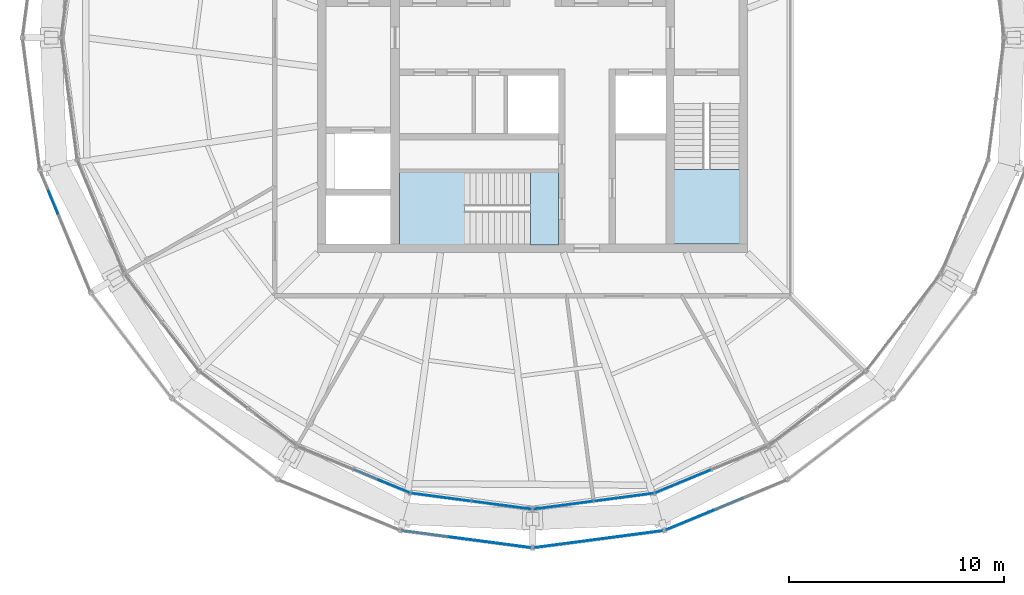
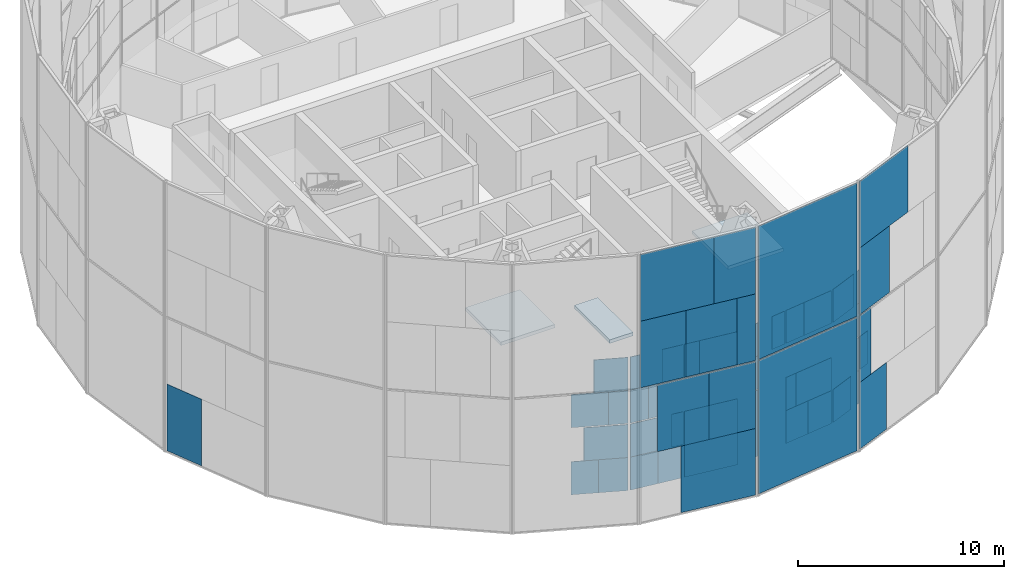
# One storey, part 11 of 22: 55 plates, 3 slabs, 10 elements without a shape of their own.
"""IFC4 building model written with IfcOpenShell, lengths in metres."""

from ifc_helpers import new_model, si_unit, direction, frame, origin, origin_2d, place, context, subcontext, project, spatial, polyline, rectangle, outline, extrude, material, layer, layer_set, type_object, element, aggregate, save


model = new_model("IFC4")

# Units and contexts
model_context = context("Model", 3, precision=1e-05, world=origin(), true_north=direction((0.0, 1.0)))
body_context = subcontext(model_context, "Body", "Model", "MODEL_VIEW")
ifc_project = project(units=[si_unit("LENGTHUNIT", "METRE"), si_unit("AREAUNIT", "SQUARE_METRE"), si_unit("VOLUMEUNIT", "CUBIC_METRE"), si_unit("PLANEANGLEUNIT", "RADIAN"), si_unit("MASSUNIT", "GRAM", prefix="KILO")], contexts=[model_context])

# Site, building, storey
site_placement = place(None, origin())
site = spatial("IfcSite", under=ifc_project, at=site_placement, CompositionType="ELEMENT")
building_placement = place(site_placement, origin())
building = spatial("IfcBuilding", under=site, at=building_placement, Name="Golbaran Civic Tower", CompositionType="ELEMENT")
storey_placement = place(building_placement, frame((0.0, 0.0, 264.0)))
storey = spatial("IfcBuildingStorey", under=building, at=storey_placement, Name="L64", CompositionType="ELEMENT", Elevation=264.0)

# Curtain wall, plates
ifc_material_1 = material(Name="Aluminium and glass", Category="aluminium")
curtain_wall_type_1 = type_object("IfcCurtainWallType", Name="INNER SKIN CURTAIN WALL EXECUTIVE", PredefinedType="NOTDEFINED", material=ifc_material_1)
curtain_wall_1_placement = place(storey_placement, origin())
curtain_wall_1 = element("IfcCurtainWall", 1, at=curtain_wall_1_placement, inside=storey, type_object=curtain_wall_type_1, Name="Inner skin L64 facet 17 CW2", ObjectType="INNER SKIN", PredefinedType="USERDEFINED")
ifc_material_2 = material(Name="Clear insulating glass", Category="glass")
ifc_layer_1 = layer(ifc_material_2, 0.031982421875, Name="Clear insulating glass")
ifc_layer_set_1 = layer_set([ifc_layer_1], Name="Clear insulating glass")
plate_type_1 = type_object("IfcPlateType", Name="INNER SKIN CURTAIN WALL EXECUTIVE GLAZED PANEL", PredefinedType="CURTAIN_PANEL", material=ifc_layer_set_1)
plate_1_placement = place(storey_placement, frame((-7.67724609375, -20.363525390625, 0.06005859375), z_axis=(0.0, 0.0, 1.0), x_axis=(0.923879532518, -0.382683432349, 0.0)))
plate_1 = element("IfcPlate", 2, at=plate_1_placement, type_object=plate_type_1, Name="CW2 panel 2.1 part 1", PredefinedType="CURTAIN_PANEL", context=body_context, shape_type="SweptSolid", body=[
    extrude(rectangle(XDim=1.340087890625, YDim=0.031982421875, at=origin_2d()), origin(), (0.0, 0.0, 1.0), 1.955078125),
])
plate_2_placement = place(storey_placement, frame((-6.1708984375, -20.9873046875, 4.030029296875), z_axis=(0.0, 0.0, 1.0), x_axis=(0.923879532518, -0.382683432349, 0.0)))
plate_2 = element("IfcPlate", 3, at=plate_2_placement, type_object=plate_type_1, Name="CW2 panel 2.2 part 2", PredefinedType="CURTAIN_PANEL", context=body_context, shape_type="SweptSolid", body=[
    extrude(rectangle(XDim=0.946533203125, YDim=0.031982421875, at=origin_2d()), origin(), (0.0, 0.0, 1.0), 1.955078125),
])
plate_3_placement = place(storey_placement, frame((-6.5048828125, -20.84912109375, 5.98486328125), z_axis=(0.0, 0.0, 1.0), x_axis=(0.923879532518, -0.382683432349, 0.0)))
plate_3 = element("IfcPlate", 4, at=plate_3_placement, type_object=plate_type_1, Name="CW2 panel 2.2 part 4", PredefinedType="CURTAIN_PANEL", context=body_context, shape_type="SweptSolid", body=[
    extrude(rectangle(XDim=1.669677734375, YDim=0.031982421875, at=origin_2d()), origin(), (0.0, 0.0, 1.0), 1.955078125),
])

curtain_wall_2_placement = place(storey_placement, origin())
curtain_wall_2 = element("IfcCurtainWall", 5, at=curtain_wall_2_placement, inside=storey, type_object=curtain_wall_type_1, Name="Inner skin L64 facet 18 CW2", ObjectType="INNER SKIN", PredefinedType="USERDEFINED")
plate_4_placement = place(storey_placement, frame((-3.532958984375, -21.473876953125, 0.06005859375), z_axis=(0.0, 0.0, 1.0), x_axis=(0.991444861376, -0.130526192203, 0.0)))
plate_4 = element("IfcPlate", 6, at=plate_4_placement, type_object=plate_type_1, Name="CW2 panel 1.1 part 2", PredefinedType="CURTAIN_PANEL", context=body_context, shape_type="SweptSolid", body=[
    extrude(rectangle(XDim=1.339599609375, YDim=0.031982421875, at=origin_2d()), origin(), (0.0, 0.0, 1.0), 1.955078125),
])
plate_5_placement = place(storey_placement, frame((-3.174560546875, -21.52099609375, 2.014892578125), z_axis=(0.0, 0.0, 1.0), x_axis=(0.991444861376, -0.130526192203, 0.0)))
plate_5 = element("IfcPlate", 7, at=plate_5_placement, type_object=plate_type_1, Name="CW2 panel 1.1 part 4", PredefinedType="CURTAIN_PANEL", context=body_context, shape_type="SweptSolid", body=[
    extrude(rectangle(XDim=0.61669921875, YDim=0.031982421875, at=origin_2d()), origin(), (0.0, 0.0, 1.0), 1.955078125),
])
plate_6_placement = place(storey_placement, frame((-5.14990234375, -21.260986328125, 4.030029296875), z_axis=(0.0, 0.0, 1.0), x_axis=(0.991444861376, -0.130526192203, 0.0)))
plate_6 = element("IfcPlate", 8, at=plate_6_placement, type_object=plate_type_1, Name="CW2 panel 1.2 part 1", PredefinedType="CURTAIN_PANEL", context=body_context, shape_type="SweptSolid", body=[
    extrude(rectangle(XDim=0.946044921875, YDim=0.031982421875, at=origin_2d()), origin(), (0.0, 0.0, 1.0), 1.955078125),
])
plate_7_placement = place(storey_placement, frame((-4.79150390625, -21.30810546875, 5.98486328125), z_axis=(0.0, 0.0, 1.0), x_axis=(0.991444861376, -0.130526192203, 0.0)))
plate_7 = element("IfcPlate", 9, at=plate_7_placement, type_object=plate_type_1, Name="CW2 panel 1.2 part 3", PredefinedType="CURTAIN_PANEL", context=body_context, shape_type="SweptSolid", body=[
    extrude(rectangle(XDim=1.6689453125, YDim=0.031982421875, at=origin_2d()), origin(), (0.0, 0.0, 1.0), 1.955078125),
])
plate_8_placement = place(storey_placement, frame((-1.434326171875, -21.750244140625, 0.06005859375), z_axis=(0.0, 0.0, 1.0), x_axis=(0.991444861376, -0.130526192203, 0.0)))
plate_8 = element("IfcPlate", 10, at=plate_8_placement, type_object=plate_type_1, Name="CW2 panel 2.1", PredefinedType="CURTAIN_PANEL", context=body_context, shape_type="SweptSolid", body=[
    extrude(rectangle(XDim=2.773681640625, YDim=0.031982421875, at=origin_2d()), origin(), (0.0, 0.0, 1.0), 3.909912109375),
])
plate_9_placement = place(storey_placement, frame((-1.235595703125, -21.7763671875, 4.030029296875), z_axis=(0.0, 0.0, 1.0), x_axis=(0.991444861376, -0.130526192203, 0.0)))
plate_9 = element("IfcPlate", 11, at=plate_9_placement, type_object=plate_type_1, Name="CW2 panel 2.2 part 2", PredefinedType="CURTAIN_PANEL", context=body_context, shape_type="SweptSolid", body=[
    extrude(rectangle(XDim=2.37255859375, YDim=0.031982421875, at=origin_2d()), origin(), (0.0, 0.0, 1.0), 1.955078125),
])
plate_10_placement = place(storey_placement, frame((-1.041748046875, -21.8017578125, 5.98486328125), z_axis=(0.0, 0.0, 1.0), x_axis=(0.991444861376, -0.130526192203, 0.0)))
plate_10 = element("IfcPlate", 12, at=plate_10_placement, type_object=plate_type_1, Name="CW2 panel 2.2 part 4", PredefinedType="CURTAIN_PANEL", context=body_context, shape_type="SweptSolid", body=[
    extrude(rectangle(XDim=1.981689453125, YDim=0.031982421875, at=origin_2d()), origin(), (0.0, 0.0, 1.0), 1.955078125),
])

curtain_wall_3_placement = place(storey_placement, origin())
curtain_wall_3 = element("IfcCurtainWall", 13, at=curtain_wall_3_placement, inside=storey, type_object=curtain_wall_type_1, Name="Inner skin L64 facet 19 CW2", ObjectType="INNER SKIN", PredefinedType="USERDEFINED")
plate_11_placement = place(storey_placement, frame((1.434326171875, -21.750244140625, 0.06005859375), z_axis=(0.0, 0.0, 1.0), x_axis=(0.991444861376, 0.130526192203, 0.0)))
plate_11 = element("IfcPlate", 14, at=plate_11_placement, type_object=plate_type_1, Name="CW2 panel 1.1", PredefinedType="CURTAIN_PANEL", context=body_context, shape_type="SweptSolid", body=[
    extrude(rectangle(XDim=2.773681640625, YDim=0.031982421875, at=origin_2d()), origin(), (0.0, 0.0, 1.0), 3.909912109375),
])
plate_12_placement = place(storey_placement, frame((1.2353515625, -21.7763671875, 4.030029296875), z_axis=(0.0, 0.0, 1.0), x_axis=(0.991444861376, 0.130526192203, 0.0)))
plate_12 = element("IfcPlate", 15, at=plate_12_placement, type_object=plate_type_1, Name="CW2 panel 1.2 part 1", PredefinedType="CURTAIN_PANEL", context=body_context, shape_type="SweptSolid", body=[
    extrude(rectangle(XDim=2.3720703125, YDim=0.031982421875, at=origin_2d()), origin(), (0.0, 0.0, 1.0), 1.955078125),
])
plate_13_placement = place(storey_placement, frame((1.0419921875, -21.8017578125, 5.98486328125), z_axis=(0.0, 0.0, 1.0), x_axis=(0.991444861376, 0.130526192203, 0.0)))
plate_13 = element("IfcPlate", 16, at=plate_13_placement, type_object=plate_type_1, Name="CW2 panel 1.2 part 3", PredefinedType="CURTAIN_PANEL", context=body_context, shape_type="SweptSolid", body=[
    extrude(rectangle(XDim=1.98193359375, YDim=0.031982421875, at=origin_2d()), origin(), (0.0, 0.0, 1.0), 1.955078125),
])
plate_14_placement = place(storey_placement, frame((3.533203125, -21.473876953125, 0.06005859375), z_axis=(0.0, 0.0, 1.0), x_axis=(0.991444861376, 0.130526192203, 0.0)))
plate_14 = element("IfcPlate", 17, at=plate_14_placement, type_object=plate_type_1, Name="CW2 panel 2.1 part 1", PredefinedType="CURTAIN_PANEL", context=body_context, shape_type="SweptSolid", body=[
    extrude(rectangle(XDim=1.340087890625, YDim=0.031982421875, at=origin_2d()), origin(), (0.0, 0.0, 1.0), 1.955078125),
])
plate_15_placement = place(storey_placement, frame((3.17431640625, -21.52099609375, 2.014892578125), z_axis=(0.0, 0.0, 1.0), x_axis=(0.991444861376, 0.130526192203, 0.0)))
plate_15 = element("IfcPlate", 18, at=plate_15_placement, type_object=plate_type_1, Name="CW2 panel 2.1 part 3", PredefinedType="CURTAIN_PANEL", context=body_context, shape_type="SweptSolid", body=[
    extrude(rectangle(XDim=0.615966796875, YDim=0.031982421875, at=origin_2d()), origin(), (0.0, 0.0, 1.0), 1.955078125),
])
plate_16_placement = place(storey_placement, frame((5.1494140625, -21.260986328125, 4.030029296875), z_axis=(0.0, 0.0, 1.0), x_axis=(0.991444861376, 0.130526192203, 0.0)))
plate_16 = element("IfcPlate", 19, at=plate_16_placement, type_object=plate_type_1, Name="CW2 panel 2.2 part 2", PredefinedType="CURTAIN_PANEL", context=body_context, shape_type="SweptSolid", body=[
    extrude(rectangle(XDim=0.946533203125, YDim=0.031982421875, at=origin_2d()), origin(), (0.0, 0.0, 1.0), 1.955078125),
])
plate_17_placement = place(storey_placement, frame((4.791015625, -21.308349609375, 5.98486328125), z_axis=(0.0, 0.0, 1.0), x_axis=(0.991444861376, 0.130526192203, 0.0)))
plate_17 = element("IfcPlate", 20, at=plate_17_placement, type_object=plate_type_1, Name="CW2 panel 2.2 part 4", PredefinedType="CURTAIN_PANEL", context=body_context, shape_type="SweptSolid", body=[
    extrude(rectangle(XDim=1.669677734375, YDim=0.031982421875, at=origin_2d()), origin(), (0.0, 0.0, 1.0), 1.955078125),
])

curtain_wall_4_placement = place(storey_placement, origin())
curtain_wall_4 = element("IfcCurtainWall", 21, at=curtain_wall_4_placement, inside=storey, type_object=curtain_wall_type_1, Name="Inner skin L64 facet 20 CW2", ObjectType="INNER SKIN", PredefinedType="USERDEFINED")
plate_18_placement = place(storey_placement, frame((7.67724609375, -20.36328125, 0.06005859375), z_axis=(0.0, 0.0, 1.0), x_axis=(0.923879532518, 0.382683432349, 0.0)))
plate_18 = element("IfcPlate", 22, at=plate_18_placement, type_object=plate_type_1, Name="CW2 panel 1.1 part 2", PredefinedType="CURTAIN_PANEL", context=body_context, shape_type="SweptSolid", body=[
    extrude(rectangle(XDim=1.339599609375, YDim=0.031982421875, at=origin_2d()), origin(), (0.0, 0.0, 1.0), 1.955078125),
])
plate_19_placement = place(storey_placement, frame((8.01123046875, -20.22509765625, 2.014892578125), z_axis=(0.0, 0.0, 1.0), x_axis=(0.923879532518, 0.382683432349, 0.0)))
plate_19 = element("IfcPlate", 23, at=plate_19_placement, type_object=plate_type_1, Name="CW2 panel 1.1 part 4", PredefinedType="CURTAIN_PANEL", context=body_context, shape_type="SweptSolid", body=[
    extrude(rectangle(XDim=0.61669921875, YDim=0.031982421875, at=origin_2d()), origin(), (0.0, 0.0, 1.0), 1.955078125),
])
plate_20_placement = place(storey_placement, frame((6.170654296875, -20.987548828125, 4.030029296875), z_axis=(0.0, 0.0, 1.0), x_axis=(0.923879532518, 0.382683432349, 0.0)))
plate_20 = element("IfcPlate", 24, at=plate_20_placement, type_object=plate_type_1, Name="CW2 panel 1.2 part 1", PredefinedType="CURTAIN_PANEL", context=body_context, shape_type="SweptSolid", body=[
    extrude(rectangle(XDim=0.946044921875, YDim=0.031982421875, at=origin_2d()), origin(), (0.0, 0.0, 1.0), 1.955078125),
])
plate_21_placement = place(storey_placement, frame((6.504638671875, -20.84912109375, 5.98486328125), z_axis=(0.0, 0.0, 1.0), x_axis=(0.923879532518, 0.382683432349, 0.0)))
plate_21 = element("IfcPlate", 25, at=plate_21_placement, type_object=plate_type_1, Name="CW2 panel 1.2 part 3", PredefinedType="CURTAIN_PANEL", context=body_context, shape_type="SweptSolid", body=[
    extrude(rectangle(XDim=1.6689453125, YDim=0.031982421875, at=origin_2d()), origin(), (0.0, 0.0, 1.0), 1.955078125),
])

# Plate
ifc_material_3 = material(Name="Aluminium faced opaque infill panel", Category="aluminium")
ifc_layer_2 = layer(ifc_material_3, 0.031982421875, Name="Aluminium faced opaque infill panel")
ifc_layer_set_2 = layer_set([ifc_layer_2], Name="Aluminium faced opaque infill panel")
plate_type_2 = type_object("IfcPlateType", Name="INNER SKIN CURTAIN WALL EXECUTIVE OPAQUE INFILL PANEL", PredefinedType="CURTAIN_PANEL", material=ifc_layer_set_2)
plate_22_placement = place(storey_placement, frame((-6.39599609375, -20.894287109375, 0.06005859375), z_axis=(0.0, 0.0, 1.0), x_axis=(0.923879532518, -0.382683432349, 0.0)))
plate_22 = element("IfcPlate", 26, at=plate_22_placement, type_object=plate_type_2, Name="CW2 infill panel 2.1 part 2", PredefinedType="CURTAIN_PANEL", context=body_context, shape_type="SweptSolid", body=[
    extrude(rectangle(XDim=1.43359375, YDim=0.031982421875, at=origin_2d()), origin(), (0.0, 0.0, 1.0), 1.955078125),
])

plate_23_placement = place(storey_placement, frame((-6.73046875, -20.755615234375, 2.014892578125), z_axis=(0.0, 0.0, 1.0), x_axis=(0.923879532518, -0.382683432349, 0.0)))
plate_23 = element("IfcPlate", 27, at=plate_23_placement, type_object=plate_type_2, Name="CW2 infill panel 2.1 part 4", PredefinedType="CURTAIN_PANEL", context=body_context, shape_type="SweptSolid", body=[
    extrude(rectangle(XDim=2.15771484375, YDim=0.031982421875, at=origin_2d()), origin(), (0.0, 0.0, 1.0), 1.955078125),
])

plate_24_placement = place(storey_placement, frame((-7.4521484375, -20.45654296875, 4.030029296875), z_axis=(0.0, 0.0, 1.0), x_axis=(0.923879532518, -0.382683432349, 0.0)))
plate_24 = element("IfcPlate", 28, at=plate_24_placement, type_object=plate_type_2, Name="CW2 infill panel 2.2 part 1", PredefinedType="CURTAIN_PANEL", context=body_context, shape_type="SweptSolid", body=[
    extrude(rectangle(XDim=1.826904296875, YDim=0.031982421875, at=origin_2d()), origin(), (0.0, 0.0, 1.0), 1.955078125),
])

aggregate(curtain_wall_1, [plate_1, plate_22, plate_23, plate_24, plate_2, plate_3])

plate_25_placement = place(storey_placement, frame((-4.907958984375, -21.29296875, 0.06005859375), z_axis=(0.0, 0.0, 1.0), x_axis=(0.991444861376, -0.130526192203, 0.0)))
plate_25 = element("IfcPlate", 29, at=plate_25_placement, type_object=plate_type_2, Name="CW2 infill panel 1.1 part 1", PredefinedType="CURTAIN_PANEL", context=body_context, shape_type="SweptSolid", body=[
    extrude(rectangle(XDim=1.43408203125, YDim=0.031982421875, at=origin_2d()), origin(), (0.0, 0.0, 1.0), 1.955078125),
])

plate_26_placement = place(storey_placement, frame((-4.549560546875, -21.340087890625, 2.014892578125), z_axis=(0.0, 0.0, 1.0), x_axis=(0.991444861376, -0.130526192203, 0.0)))
plate_26 = element("IfcPlate", 30, at=plate_26_placement, type_object=plate_type_2, Name="CW2 infill panel 1.1 part 3", PredefinedType="CURTAIN_PANEL", context=body_context, shape_type="SweptSolid", body=[
    extrude(rectangle(XDim=2.156982421875, YDim=0.031982421875, at=origin_2d()), origin(), (0.0, 0.0, 1.0), 1.955078125),
])

plate_27_placement = place(storey_placement, frame((-3.77490234375, -21.442138671875, 4.030029296875), z_axis=(0.0, 0.0, 1.0), x_axis=(0.991444861376, -0.130526192203, 0.0)))
plate_27 = element("IfcPlate", 31, at=plate_27_placement, type_object=plate_type_2, Name="CW2 infill panel 1.2 part 2", PredefinedType="CURTAIN_PANEL", context=body_context, shape_type="SweptSolid", body=[
    extrude(rectangle(XDim=1.82763671875, YDim=0.031982421875, at=origin_2d()), origin(), (0.0, 0.0, 1.0), 1.955078125),
])

plate_28_placement = place(storey_placement, frame((-3.41650390625, -21.4892578125, 5.98486328125), z_axis=(0.0, 0.0, 1.0), x_axis=(0.991444861376, -0.130526192203, 0.0)))
plate_28 = element("IfcPlate", 32, at=plate_28_placement, type_object=plate_type_2, Name="CW2 infill panel 1.2 part 4", PredefinedType="CURTAIN_PANEL", context=body_context, shape_type="SweptSolid", body=[
    extrude(rectangle(XDim=1.1044921875, YDim=0.031982421875, at=origin_2d()), origin(), (0.0, 0.0, 1.0), 1.955078125),
])

plate_29_placement = place(storey_placement, frame((-2.610595703125, -21.59521484375, 4.030029296875), z_axis=(0.0, 0.0, 1.0), x_axis=(0.991444861376, -0.130526192203, 0.0)))
plate_29 = element("IfcPlate", 33, at=plate_29_placement, type_object=plate_type_2, Name="CW2 infill panel 2.2 part 1", PredefinedType="CURTAIN_PANEL", context=body_context, shape_type="SweptSolid", body=[
    extrude(rectangle(XDim=0.40087890625, YDim=0.031982421875, at=origin_2d()), origin(), (0.0, 0.0, 1.0), 1.955078125),
])

plate_30_placement = place(storey_placement, frame((-2.416748046875, -21.620849609375, 5.98486328125), z_axis=(0.0, 0.0, 1.0), x_axis=(0.991444861376, -0.130526192203, 0.0)))
plate_30 = element("IfcPlate", 34, at=plate_30_placement, type_object=plate_type_2, Name="CW2 infill panel 2.2 part 3", PredefinedType="CURTAIN_PANEL", context=body_context, shape_type="SweptSolid", body=[
    extrude(rectangle(XDim=0.7919921875, YDim=0.031982421875, at=origin_2d()), origin(), (0.0, 0.0, 1.0), 1.955078125),
])

aggregate(curtain_wall_2, [plate_25, plate_4, plate_26, plate_5, plate_6, plate_27, plate_7, plate_28, plate_8, plate_29, plate_9, plate_30, plate_10])

plate_31_placement = place(storey_placement, frame((2.6103515625, -21.595458984375, 4.030029296875), z_axis=(0.0, 0.0, 1.0), x_axis=(0.991444861376, 0.130526192203, 0.0)))
plate_31 = element("IfcPlate", 35, at=plate_31_placement, type_object=plate_type_2, Name="CW2 infill panel 1.2 part 2", PredefinedType="CURTAIN_PANEL", context=body_context, shape_type="SweptSolid", body=[
    extrude(rectangle(XDim=0.401611328125, YDim=0.031982421875, at=origin_2d()), origin(), (0.0, 0.0, 1.0), 1.955078125),
])

plate_32_placement = place(storey_placement, frame((2.4169921875, -21.620849609375, 5.98486328125), z_axis=(0.0, 0.0, 1.0), x_axis=(0.991444861376, 0.130526192203, 0.0)))
plate_32 = element("IfcPlate", 36, at=plate_32_placement, type_object=plate_type_2, Name="CW2 infill panel 1.2 part 4", PredefinedType="CURTAIN_PANEL", context=body_context, shape_type="SweptSolid", body=[
    extrude(rectangle(XDim=0.79150390625, YDim=0.031982421875, at=origin_2d()), origin(), (0.0, 0.0, 1.0), 1.955078125),
])

plate_33_placement = place(storey_placement, frame((4.907958984375, -21.292724609375, 0.06005859375), z_axis=(0.0, 0.0, 1.0), x_axis=(0.991444861376, 0.130526192203, 0.0)))
plate_33 = element("IfcPlate", 37, at=plate_33_placement, type_object=plate_type_2, Name="CW2 infill panel 2.1 part 2", PredefinedType="CURTAIN_PANEL", context=body_context, shape_type="SweptSolid", body=[
    extrude(rectangle(XDim=1.43359375, YDim=0.031982421875, at=origin_2d()), origin(), (0.0, 0.0, 1.0), 1.955078125),
])

plate_34_placement = place(storey_placement, frame((4.549072265625, -21.340087890625, 2.014892578125), z_axis=(0.0, 0.0, 1.0), x_axis=(0.991444861376, 0.130526192203, 0.0)))
plate_34 = element("IfcPlate", 38, at=plate_34_placement, type_object=plate_type_2, Name="CW2 infill panel 2.1 part 4", PredefinedType="CURTAIN_PANEL", context=body_context, shape_type="SweptSolid", body=[
    extrude(rectangle(XDim=2.15771484375, YDim=0.031982421875, at=origin_2d()), origin(), (0.0, 0.0, 1.0), 1.955078125),
])

plate_35_placement = place(storey_placement, frame((3.774658203125, -21.442138671875, 4.030029296875), z_axis=(0.0, 0.0, 1.0), x_axis=(0.991444861376, 0.130526192203, 0.0)))
plate_35 = element("IfcPlate", 39, at=plate_35_placement, type_object=plate_type_2, Name="CW2 infill panel 2.2 part 1", PredefinedType="CURTAIN_PANEL", context=body_context, shape_type="SweptSolid", body=[
    extrude(rectangle(XDim=1.826904296875, YDim=0.031982421875, at=origin_2d()), origin(), (0.0, 0.0, 1.0), 1.955078125),
])

plate_36_placement = place(storey_placement, frame((3.416015625, -21.4892578125, 5.98486328125), z_axis=(0.0, 0.0, 1.0), x_axis=(0.991444861376, 0.130526192203, 0.0)))
plate_36 = element("IfcPlate", 40, at=plate_36_placement, type_object=plate_type_2, Name="CW2 infill panel 2.2 part 3", PredefinedType="CURTAIN_PANEL", context=body_context, shape_type="SweptSolid", body=[
    extrude(rectangle(XDim=1.10400390625, YDim=0.031982421875, at=origin_2d()), origin(), (0.0, 0.0, 1.0), 1.955078125),
])

aggregate(curtain_wall_3, [plate_11, plate_12, plate_31, plate_13, plate_32, plate_14, plate_33, plate_15, plate_34, plate_35, plate_16, plate_36, plate_17])

plate_37_placement = place(storey_placement, frame((6.39599609375, -20.89404296875, 0.06005859375), z_axis=(0.0, 0.0, 1.0), x_axis=(0.923879532518, 0.382683432349, 0.0)))
plate_37 = element("IfcPlate", 41, at=plate_37_placement, type_object=plate_type_2, Name="CW2 infill panel 1.1 part 1", PredefinedType="CURTAIN_PANEL", context=body_context, shape_type="SweptSolid", body=[
    extrude(rectangle(XDim=1.43408203125, YDim=0.031982421875, at=origin_2d()), origin(), (0.0, 0.0, 1.0), 1.955078125),
])

plate_38_placement = place(storey_placement, frame((6.72998046875, -20.755859375, 2.014892578125), z_axis=(0.0, 0.0, 1.0), x_axis=(0.923879532518, 0.382683432349, 0.0)))
plate_38 = element("IfcPlate", 42, at=plate_38_placement, type_object=plate_type_2, Name="CW2 infill panel 1.1 part 3", PredefinedType="CURTAIN_PANEL", context=body_context, shape_type="SweptSolid", body=[
    extrude(rectangle(XDim=2.156982421875, YDim=0.031982421875, at=origin_2d()), origin(), (0.0, 0.0, 1.0), 1.955078125),
])

plate_39_placement = place(storey_placement, frame((7.451904296875, -20.456787109375, 4.030029296875), z_axis=(0.0, 0.0, 1.0), x_axis=(0.923879532518, 0.382683432349, 0.0)))
plate_39 = element("IfcPlate", 43, at=plate_39_placement, type_object=plate_type_2, Name="CW2 infill panel 1.2 part 2", PredefinedType="CURTAIN_PANEL", context=body_context, shape_type="SweptSolid", body=[
    extrude(rectangle(XDim=1.82763671875, YDim=0.031982421875, at=origin_2d()), origin(), (0.0, 0.0, 1.0), 1.955078125),
])

plate_40_placement = place(storey_placement, frame((7.785888671875, -20.318359375, 5.98486328125), z_axis=(0.0, 0.0, 1.0), x_axis=(0.923879532518, 0.382683432349, 0.0)))
plate_40 = element("IfcPlate", 44, at=plate_40_placement, type_object=plate_type_2, Name="CW2 infill panel 1.2 part 4", PredefinedType="CURTAIN_PANEL", context=body_context, shape_type="SweptSolid", body=[
    extrude(rectangle(XDim=1.1044921875, YDim=0.031982421875, at=origin_2d()), origin(), (0.0, 0.0, 1.0), 1.955078125),
])

aggregate(curtain_wall_4, [plate_37, plate_18, plate_38, plate_19, plate_20, plate_39, plate_21, plate_40])

# Curtain wall, plates
curtain_wall_type_2 = type_object("IfcCurtainWallType", Name="OUTER SKIN TERRACOTTA SCREEN", PredefinedType="NOTDEFINED", material=ifc_material_1)
curtain_wall_5_placement = place(storey_placement, origin())
curtain_wall_5 = element("IfcCurtainWall", 45, at=curtain_wall_5_placement, inside=storey, type_object=curtain_wall_type_2, Name="Outer skin L64 facet 18 CW3", ObjectType="OUTER SKIN", PredefinedType="USERDEFINED")
ifc_material_4 = material(Name="Clear laminated glass", Category="glass")
ifc_layer_3 = layer(ifc_material_4, 0.0400390625, Name="Clear laminated glass")
ifc_layer_set_3 = layer_set([ifc_layer_3], Name="Clear laminated glass")
plate_type_3 = type_object("IfcPlateType", Name="OUTER SKIN CLEAR GLASS PANEL", PredefinedType="CURTAIN_PANEL", material=ifc_layer_set_3)
plate_41_placement = place(storey_placement, frame((-2.01708984375, -23.472412109375, -0.6298828125), z_axis=(0.0, 0.0, 1.0), x_axis=(0.991444861365, -0.130526192289, 0.0)))
plate_41 = element("IfcPlate", 46, at=plate_41_placement, type_object=plate_type_3, Name="CW3 panel 1.1 part 2", PredefinedType="CURTAIN_PANEL", context=body_context, shape_type="SweptSolid", body=[
    extrude(rectangle(XDim=3.908935546875, YDim=0.0400390625, at=origin_2d()), origin(), (0.0, 0.0, 1.0), 3.93994140625),
])
plate_42_placement = place(storey_placement, frame((-1.294677734375, -23.567626953125, 3.31005859375), z_axis=(0.0, 0.0, 1.0), x_axis=(0.991444861365, -0.130526192289, 0.0)))
plate_42 = element("IfcPlate", 47, at=plate_42_placement, type_object=plate_type_3, Name="CW3 panel 1.1 part 5", PredefinedType="CURTAIN_PANEL", context=body_context, shape_type="SweptSolid", body=[
    extrude(rectangle(XDim=2.451904296875, YDim=0.0400390625, at=origin_2d()), origin(), (0.0, 0.0, 1.0), 3.93994140625),
])
plate_43_placement = place(storey_placement, frame((-4.88330078125, -23.09521484375, 7.330078125), z_axis=(0.0, 0.0, 1.0), x_axis=(0.991444861365, -0.130526192289, 0.0)))
plate_43 = element("IfcPlate", 48, at=plate_43_placement, type_object=plate_type_3, Name="CW3 panel 1.2 part 1", PredefinedType="CURTAIN_PANEL", context=body_context, shape_type="SweptSolid", body=[
    extrude(rectangle(XDim=2.383056640625, YDim=0.0400390625, at=origin_2d()), origin(), (0.0, 0.0, 1.0), 3.93994140625),
])
plate_44_placement = place(storey_placement, frame((-0.5576171875, -23.66455078125, 7.330078125), z_axis=(0.0, 0.0, 1.0), x_axis=(0.991444861365, -0.130526192289, 0.0)))
plate_44 = element("IfcPlate", 49, at=plate_44_placement, type_object=plate_type_3, Name="CW3 panel 1.2 part 3", PredefinedType="CURTAIN_PANEL", context=body_context, shape_type="SweptSolid", body=[
    extrude(rectangle(XDim=0.96484375, YDim=0.0400390625, at=origin_2d()), origin(), (0.0, 0.0, 1.0), 3.93994140625),
])
plate_45_placement = place(storey_placement, frame((-4.155029296875, -23.19091796875, 11.27001953125), z_axis=(0.0, 0.0, 1.0), x_axis=(0.991444861365, -0.130526192289, 0.0)))
plate_45 = element("IfcPlate", 50, at=plate_45_placement, type_object=plate_type_3, Name="CW3 panel 1.2 part 4", PredefinedType="CURTAIN_PANEL", context=body_context, shape_type="SweptSolid", body=[
    extrude(rectangle(XDim=3.85205078125, YDim=0.0400390625, at=origin_2d()), origin(), (0.0, 0.0, 1.0), 3.93994140625),
])

curtain_wall_6_placement = place(storey_placement, origin())
curtain_wall_6 = element("IfcCurtainWall", 51, at=curtain_wall_6_placement, inside=storey, type_object=curtain_wall_type_2, Name="Outer skin L64 facet 20 CW3", ObjectType="OUTER SKIN", PredefinedType="USERDEFINED")
plate_46_placement = place(storey_placement, frame((6.631103515625, -22.727294921875, 3.31005859375), z_axis=(0.0, 0.0, 1.0), x_axis=(0.923879532525, 0.382683432333, 0.0)))
plate_46 = element("IfcPlate", 52, at=plate_46_placement, type_object=plate_type_3, Name="CW3 panel 1.1 part 3", PredefinedType="CURTAIN_PANEL", context=body_context, shape_type="SweptSolid", body=[
    extrude(rectangle(XDim=0.89501953125, YDim=0.0400390625, at=origin_2d()), origin(), (0.0, 0.0, 1.0), 3.93994140625),
])
plate_47_placement = place(storey_placement, frame((7.318603515625, -22.442626953125, 7.330078125), z_axis=(0.0, 0.0, 1.0), x_axis=(0.923879532525, 0.382683432333, 0.0)))
plate_47 = element("IfcPlate", 53, at=plate_47_placement, type_object=plate_type_3, Name="CW3 panel 1.2 part 1", PredefinedType="CURTAIN_PANEL", context=body_context, shape_type="SweptSolid", body=[
    extrude(rectangle(XDim=2.383056640625, YDim=0.0400390625, at=origin_2d()), origin(), (0.0, 0.0, 1.0), 3.93994140625),
])
plate_48_placement = place(storey_placement, frame((7.9970703125, -22.161376953125, 11.27001953125), z_axis=(0.0, 0.0, 1.0), x_axis=(0.923879532525, 0.382683432333, 0.0)))
plate_48 = element("IfcPlate", 54, at=plate_48_placement, type_object=plate_type_3, Name="CW3 panel 1.2 part 4", PredefinedType="CURTAIN_PANEL", context=body_context, shape_type="SweptSolid", body=[
    extrude(rectangle(XDim=3.85205078125, YDim=0.0400390625, at=origin_2d()), origin(), (0.0, 0.0, 1.0), 3.93994140625),
])

# Curtain wall, plate
curtain_wall_7_placement = place(storey_placement, origin())
curtain_wall_7 = element("IfcCurtainWall", 55, at=curtain_wall_7_placement, inside=storey, type_object=curtain_wall_type_2, Name="Outer skin L64 facet 14 CW3", ObjectType="OUTER SKIN", PredefinedType="USERDEFINED")
ifc_material_5 = material(Name="Terracotta baguette screen", Category="masonry")
ifc_layer_4 = layer(ifc_material_5, 0.0400390625, Name="Terracotta baguette screen")
ifc_layer_set_4 = layer_set([ifc_layer_4], Name="Terracotta baguette screen")
plate_type_4 = type_object("IfcPlateType", Name="OUTER SKIN TERRACOTTA INFILL PANEL", PredefinedType="CURTAIN_PANEL", material=ifc_layer_set_4)
plate_49_placement = place(storey_placement, frame((-22.491455078125, -7.20068359375, -0.6298828125), z_axis=(0.0, 0.0, 1.0), x_axis=(0.382683432333, -0.923879532525, 0.0)))
plate_49 = element("IfcPlate", 56, at=plate_49_placement, type_object=plate_type_4, Name="CW3 infill panel 1.1 part 1", PredefinedType="CURTAIN_PANEL", context=body_context, shape_type="SweptSolid", body=[
    extrude(rectangle(XDim=2.1279296875, YDim=0.0400390625, at=origin_2d()), origin(), (0.0, 0.0, 1.0), 3.93994140625),
])
aggregate(curtain_wall_7, [plate_49])

# Plate
plate_50_placement = place(storey_placement, frame((-3.84375, -23.23193359375, 3.31005859375), z_axis=(0.0, 0.0, 1.0), x_axis=(0.991444861365, -0.130526192289, 0.0)))
plate_50 = element("IfcPlate", 57, at=plate_50_placement, type_object=plate_type_4, Name="CW3 infill panel 1.1 part 4", PredefinedType="CURTAIN_PANEL", context=body_context, shape_type="SweptSolid", body=[
    extrude(rectangle(XDim=2.68994140625, YDim=0.0400390625, at=origin_2d()), origin(), (0.0, 0.0, 1.0), 3.93994140625),
])

plate_51_placement = place(storey_placement, frame((-2.368896484375, -23.426025390625, 7.330078125), z_axis=(0.0, 0.0, 1.0), x_axis=(0.991444861365, -0.130526192289, 0.0)))
plate_51 = element("IfcPlate", 58, at=plate_51_placement, type_object=plate_type_4, Name="CW3 infill panel 1.2 part 2", PredefinedType="CURTAIN_PANEL", context=body_context, shape_type="SweptSolid", body=[
    extrude(rectangle(XDim=2.68896484375, YDim=0.0400390625, at=origin_2d()), origin(), (0.0, 0.0, 1.0), 3.93994140625),
])

plate_52_placement = place(storey_placement, frame((-1.162353515625, -23.5849609375, 11.27001953125), z_axis=(0.0, 0.0, 1.0), x_axis=(0.991444861365, -0.130526192289, 0.0)))
plate_52 = element("IfcPlate", 59, at=plate_52_placement, type_object=plate_type_4, Name="CW3 infill panel 1.2 part 5", PredefinedType="CURTAIN_PANEL", context=body_context, shape_type="SweptSolid", body=[
    extrude(rectangle(XDim=2.184814453125, YDim=0.0400390625, at=origin_2d()), origin(), (0.0, 0.0, 1.0), 3.93994140625),
])

aggregate(curtain_wall_5, [plate_41, plate_50, plate_42, plate_43, plate_51, plate_44, plate_45, plate_52])

plate_53_placement = place(storey_placement, frame((7.20068359375, -22.491455078125, -0.6298828125), z_axis=(0.0, 0.0, 1.0), x_axis=(0.923879532525, 0.382683432333, 0.0)))
plate_53 = element("IfcPlate", 60, at=plate_53_placement, type_object=plate_type_4, Name="CW3 infill panel 1.1 part 1", PredefinedType="CURTAIN_PANEL", context=body_context, shape_type="SweptSolid", body=[
    extrude(rectangle(XDim=2.1279296875, YDim=0.0400390625, at=origin_2d()), origin(), (0.0, 0.0, 1.0), 3.93994140625),
])

aggregate(curtain_wall_6, [plate_53, plate_46, plate_47, plate_48])

# Curtain wall, plates
curtain_wall_8_placement = place(storey_placement, origin())
curtain_wall_8 = element("IfcCurtainWall", 61, at=curtain_wall_8_placement, inside=storey, type_object=curtain_wall_type_2, Name="Outer skin L64 facet 19 CW3", ObjectType="OUTER SKIN", PredefinedType="USERDEFINED")
ifc_layer_5 = layer(ifc_material_5, 0.0400390625, Name="Terracotta baguette screen")
ifc_layer_set_5 = layer_set([ifc_layer_5], Name="Terracotta baguette screen")
plate_type_5 = type_object("IfcPlateType", Name="OUTER SKIN TERRACOTTA SCREEN PANEL", PredefinedType="CURTAIN_PANEL", material=ifc_layer_set_5)
plate_54_placement = place(storey_placement, frame((3.072021484375, -23.33349609375, -0.6298828125), z_axis=(0.0, 0.0, 1.0), x_axis=(0.991444861365, 0.130526192289, 0.0)))
plate_54 = element("IfcPlate", 62, at=plate_54_placement, type_object=plate_type_5, Name="CW3 terracotta screen panel 1.1", PredefinedType="CURTAIN_PANEL", context=body_context, shape_type="SweptSolid", body=[
    extrude(rectangle(XDim=6.036865234375, YDim=0.0400390625, at=origin_2d()), origin(), (0.0, 0.0, 1.0), 7.8798828125),
])
plate_55_placement = place(storey_placement, frame((3.072021484375, -23.33349609375, 7.330078125), z_axis=(0.0, 0.0, 1.0), x_axis=(0.991444861365, 0.130526192289, 0.0)))
plate_55 = element("IfcPlate", 63, at=plate_55_placement, type_object=plate_type_5, Name="CW3 terracotta screen panel 1.2", PredefinedType="CURTAIN_PANEL", context=body_context, shape_type="SweptSolid", body=[
    extrude(rectangle(XDim=6.036865234375, YDim=0.0400390625, at=origin_2d()), origin(), (0.0, 0.0, 1.0), 7.8798828125),
])
aggregate(curtain_wall_8, [plate_54, plate_55])

# Stair, slab
ifc_material_6 = material(Name="Concrete C35/45", Category="concrete")
stair_type_1 = type_object("IfcStairType", Name="EXIT STAIR 3000 x 7850, 4000 RISE", PredefinedType="HALF_TURN_STAIR", material=ifc_material_6)
stair_1_placement = place(storey_placement, origin())
stair_1 = element("IfcStair", 64, at=stair_1_placement, inside=storey, type_object=stair_type_1, Name="Stair S2 L64", PredefinedType="HALF_TURN_STAIR")
ifc_layer_6 = layer(ifc_material_6, 0.199951171875, Name="Concrete C35/45")
ifc_layer_set_6 = layer_set([ifc_layer_6], Name="Concrete C35/45")
slab_type = type_object("IfcSlabType", Name="STAIR LANDING 200", PredefinedType="LANDING", material=ifc_layer_set_6)
slab_1_placement = place(storey_placement, frame((0.0, 0.0, 1.800048828125)))
slab_1 = element("IfcSlab", 65, at=slab_1_placement, type_object=slab_type, Name="ST30078-40 landing 1", PredefinedType="LANDING", context=body_context, shape_type="SweptSolid", body=[
    extrude(outline(polyline([(9.64990234375, -6.125), (9.64990234375, -9.60009765625), (6.550048828125, -9.60009765625), (6.550048828125, -6.125), (9.64990234375, -6.125)])), origin(), (0.0, 0.0, 1.0), 0.199951171875),
])
aggregate(stair_1, [slab_1])

stair_type_2 = type_object("IfcStairType", Name="EXIT STAIR 3300 x 7400, 4000 RISE", PredefinedType="HALF_TURN_STAIR", material=ifc_material_6)
stair_2_placement = place(storey_placement, origin())
stair_2 = element("IfcStair", 66, at=stair_2_placement, inside=storey, type_object=stair_type_2, Name="Stair S3 L64", PredefinedType="HALF_TURN_STAIR")
slab_2_placement = place(storey_placement, frame((0.0, 0.0, 1.800048828125)))
slab_2 = element("IfcSlab", 67, at=slab_2_placement, type_object=slab_type, Name="ST33074-40 landing 1", PredefinedType="LANDING", context=body_context, shape_type="SweptSolid", body=[
    extrude(outline(polyline([(-3.175048828125, -9.64990234375), (-6.199951171875, -9.64990234375), (-6.199951171875, -6.25), (-3.175048828125, -6.25), (-3.175048828125, -9.64990234375)])), origin(), (0.0, 0.0, 1.0), 0.199951171875),
])
aggregate(stair_2, [slab_2])

# Slab
slab_3_placement = place(storey_placement, frame((0.0, 0.0, -0.199951171875)))
element("IfcSlab", 68, at=slab_3_placement, inside=storey, type_object=slab_type, Name="Stair S3 floor landing L64", PredefinedType="LANDING", context=body_context, shape_type="SweptSolid", body=[
    extrude(outline(polyline([(1.199951171875, -9.64990234375), (-0.10498046875, -9.64990234375), (-0.10498046875, -6.25), (1.199951171875, -6.25), (1.199951171875, -9.64990234375)])), origin(), (0.0, 0.0, 1.0), 0.199951171875),
])

save(model, "model.ifc")
